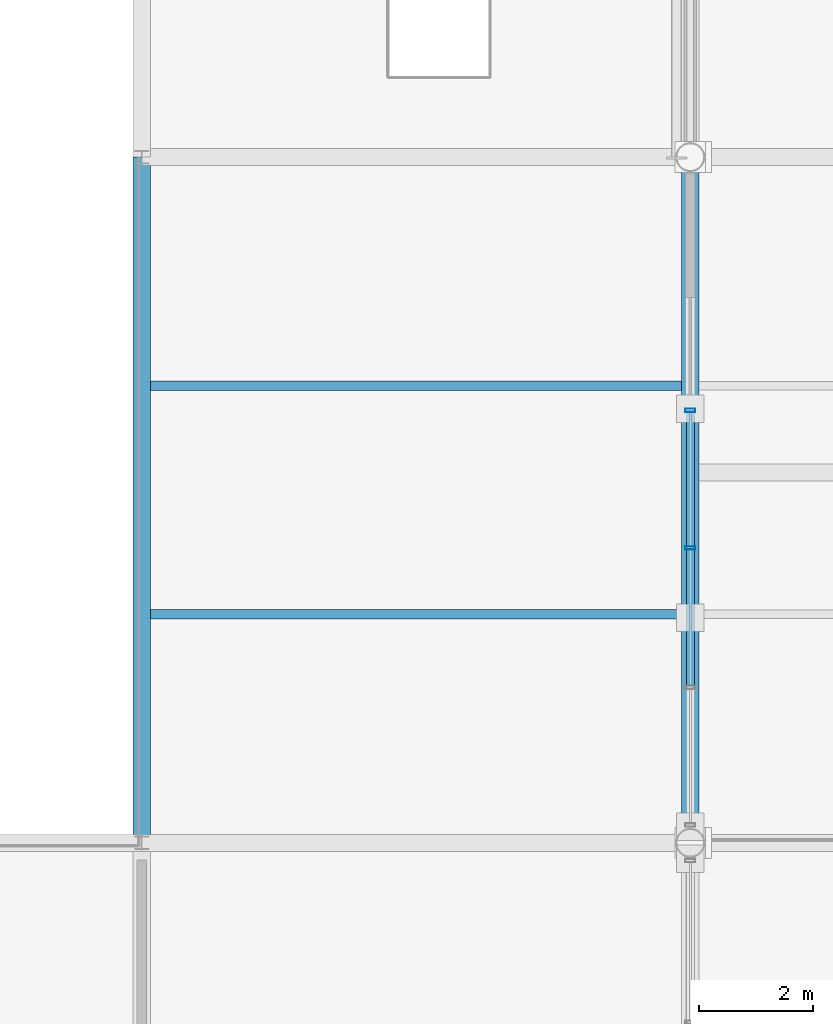
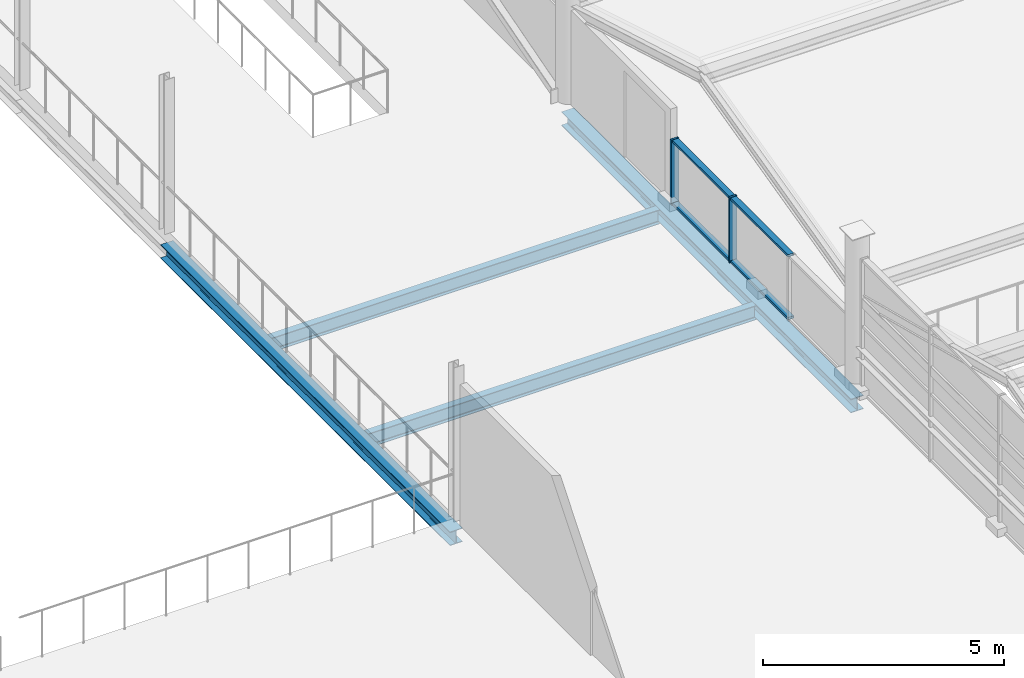
# One storey, part 36 of 117: 6 members, 4 beams, 1 element without a shape of its own.
"""IFC4 building model written with IfcOpenShell, lengths in metres."""

from ifc_helpers import new_model, si_unit, direction, frame, origin, origin_2d, place, context, subcontext, project, spatial, hollow_rectangle, i_section, extrude, material, material_profile, profile_set, type_object, element, aggregate, save


model = new_model("IFC4")

# Units and contexts
model_context = context("Model", 3, precision=1e-05, world=origin(), true_north=direction((0.0, 1.0)))
body_context = subcontext(model_context, "Body", "Model", "MODEL_VIEW")
ifc_project = project(units=[si_unit("LENGTHUNIT", "METRE"), si_unit("AREAUNIT", "SQUARE_METRE"), si_unit("VOLUMEUNIT", "CUBIC_METRE"), si_unit("PLANEANGLEUNIT", "RADIAN"), si_unit("MASSUNIT", "GRAM", prefix="KILO")], contexts=[model_context])

# Site, building, storey
site_placement = place(None, origin())
site = spatial("IfcSite", under=ifc_project, at=site_placement, CompositionType="ELEMENT")
building_placement = place(site_placement, origin())
building = spatial("IfcBuilding", under=site, at=building_placement, Name="Merenkruunu Market Hall", CompositionType="ELEMENT")
storey_placement = place(building_placement, frame((0.0, 0.0, 10.199951171875)))
storey = spatial("IfcBuildingStorey", under=building, at=storey_placement, Name="L02", CompositionType="ELEMENT", Elevation=10.199951171875)

# Curtain wall, members
ifc_material_1 = material(Name="Powder-coated aluminium", Category="aluminium")
curtain_wall_type = type_object("IfcCurtainWallType", Name="Glazed Curtain Wall CW16", PredefinedType="USERDEFINED", material=ifc_material_1)
curtain_wall_placement = place(storey_placement, origin())
curtain_wall = element("IfcCurtainWall", 1, at=curtain_wall_placement, inside=storey, type_object=curtain_wall_type, Name="CW-L02-CWM02-126", ObjectType="GLAZED_FACADE", PredefinedType="USERDEFINED")
ifc_material_profile_1 = material_profile(ifc_material_1, hollow_rectangle(XDim=0.06005859375, YDim=0.179931640625, WallThickness=0.00390625, at=origin_2d()), Name="ALU 60x180x4")
ifc_profile_set_1 = profile_set([ifc_material_profile_1], Name="Powder-coated aluminium")
member_type_1 = type_object("IfcMemberType", Name="Curtain Wall Mullion CWM02", PredefinedType="MULLION", material=ifc_profile_set_1)
member_1_placement = place(storey_placement, frame((57.60009765625, 32.760009765625, 0.0), z_axis=(0.0, 0.0, 1.0), x_axis=(0.0, 1.0, 0.0)))
member_1 = element("IfcMember", 2, at=member_1_placement, type_object=member_type_1, Name="CW16 mullion 3", PredefinedType="MULLION", context=body_context, shape_type="SweptSolid", body=[
    extrude(hollow_rectangle(XDim=0.06005859375, YDim=0.179931640625, WallThickness=0.00390625, at=origin_2d()), origin(), (0.0, 0.0, 1.0), 1.650146484375),
])
member_2_placement = place(storey_placement, frame((57.60009765625, 35.169921875, 0.0), z_axis=(0.0, 0.0, 1.0), x_axis=(0.0, 1.0, 0.0)))
member_2 = element("IfcMember", 3, at=member_2_placement, type_object=member_type_1, Name="CW16 mullion 4", PredefinedType="MULLION", context=body_context, shape_type="SweptSolid", body=[
    extrude(hollow_rectangle(XDim=0.06005859375, YDim=0.179931640625, WallThickness=0.00390625, at=origin_2d()), origin(), (0.0, 0.0, 1.0), 1.650146484375),
])
ifc_material_profile_2 = material_profile(ifc_material_1, hollow_rectangle(XDim=0.06005859375, YDim=0.139892578125, WallThickness=0.00390625, at=origin_2d()), Name="ALU 60x140x4")
ifc_profile_set_2 = profile_set([ifc_material_profile_2], Name="Powder-coated aluminium")
member_type_2 = type_object("IfcMemberType", Name="Curtain Wall Transom CWT02", PredefinedType="USERDEFINED", material=ifc_profile_set_2)
member_3_placement = place(storey_placement, frame((57.60009765625, 30.35009765625, 0.030029296875), z_axis=(0.0, 1.0, 0.0), x_axis=(0.0, 0.0, 1.0)))
member_3 = element("IfcMember", 4, at=member_3_placement, type_object=member_type_2, Name="CW16 transom 2.1", ObjectType="TRANSOM", PredefinedType="USERDEFINED", context=body_context, shape_type="SweptSolid", body=[
    extrude(hollow_rectangle(XDim=0.06005859375, YDim=0.139892578125, WallThickness=0.00390625, at=origin_2d()), origin(), (0.0, 0.0, 1.0), 2.3798828125),
])
member_4_placement = place(storey_placement, frame((57.60009765625, 30.35009765625, 1.6201171875), z_axis=(0.0, 1.0, 0.0), x_axis=(0.0, 0.0, 1.0)))
member_4 = element("IfcMember", 5, at=member_4_placement, type_object=member_type_2, Name="CW16 transom 2.2", ObjectType="TRANSOM", PredefinedType="USERDEFINED", context=body_context, shape_type="SweptSolid", body=[
    extrude(hollow_rectangle(XDim=0.06005859375, YDim=0.139892578125, WallThickness=0.00390625, at=origin_2d()), origin(), (0.0, 0.0, 1.0), 2.3798828125),
])
member_5_placement = place(storey_placement, frame((57.60009765625, 32.7900390625, 0.030029296875), z_axis=(0.0, 1.0, 0.0), x_axis=(0.0, 0.0, 1.0)))
member_5 = element("IfcMember", 6, at=member_5_placement, type_object=member_type_2, Name="CW16 transom 3.1", ObjectType="TRANSOM", PredefinedType="USERDEFINED", context=body_context, shape_type="SweptSolid", body=[
    extrude(hollow_rectangle(XDim=0.06005859375, YDim=0.139892578125, WallThickness=0.00390625, at=origin_2d()), origin(), (0.0, 0.0, 1.0), 2.349853515625),
])
member_6_placement = place(storey_placement, frame((57.60009765625, 32.7900390625, 1.6201171875), z_axis=(0.0, 1.0, 0.0), x_axis=(0.0, 0.0, 1.0)))
member_6 = element("IfcMember", 7, at=member_6_placement, type_object=member_type_2, Name="CW16 transom 3.2", ObjectType="TRANSOM", PredefinedType="USERDEFINED", context=body_context, shape_type="SweptSolid", body=[
    extrude(hollow_rectangle(XDim=0.06005859375, YDim=0.139892578125, WallThickness=0.00390625, at=origin_2d()), origin(), (0.0, 0.0, 1.0), 2.349853515625),
])
aggregate(curtain_wall, [member_1, member_2, member_3, member_4, member_5, member_6])

# Beams
ifc_material_2 = material(Name="Steel S355J2", Category="steel")
ifc_material_profile_3 = material_profile(ifc_material_2, i_section(OverallWidth=0.300048828125, OverallDepth=0.35009765625, WebThickness=0.010009765625, FlangeThickness=0.017578125, FilletRadius=0.027099609375, at=origin_2d()), Name="HEA 360")
ifc_profile_set_3 = profile_set([ifc_material_profile_3], Name="Steel S355J2")
beam_type_1 = type_object("IfcBeamType", Name="Primary Floor Girder B08", PredefinedType="BEAM", material=ifc_profile_set_3)
for number, where, z_axis, x_axis, name in (
    (8, (48.0, 27.60009765625, -0.48486328125), (0.0, 1.0, 0.0), (-1.0, 0.0, 0.0), "BM-L02-B08-0779"),
    (9, (57.60009765625, 27.60009765625, -0.48486328125), (0.0, 1.0, 0.0), (-1.0, 0.0, 0.0), "BM-L02-B08-0785"),
):
    element("IfcBeam", number, at=place(storey_placement, frame(where, z_axis=z_axis, x_axis=x_axis)), inside=storey, type_object=beam_type_1, Name=name, PredefinedType="BEAM", context=body_context, shape_type="SweptSolid", body=[
        extrude(i_section(OverallWidth=0.300048828125, OverallDepth=0.35009765625, WebThickness=0.010009765625, FlangeThickness=0.017578125, FilletRadius=0.027099609375, at=origin_2d()), origin(), (0.0, 0.0, 1.0), 12.0),
    ])
ifc_material_profile_4 = material_profile(ifc_material_2, i_section(OverallWidth=0.169921875, OverallDepth=0.360107421875, WebThickness=0.008056640625, FlangeThickness=0.0126953125, FilletRadius=0.01806640625, at=origin_2d()), Name="IPE 360")
ifc_profile_set_4 = profile_set([ifc_material_profile_4], Name="Steel S355J2")
beam_type_2 = type_object("IfcBeamType", Name="Secondary Floor Joist J03", PredefinedType="JOIST", material=ifc_profile_set_4)
for number, where, z_axis, x_axis, name in (
    (10, (48.153076171875, 31.60009765625, -0.489990234375), (1.0, 0.0, 0.0), (0.0, 1.0, 0.0), "BM-L02-J03-0824"),
    (11, (48.153076171875, 35.60009765625, -0.489990234375), (1.0, 0.0, 0.0), (0.0, 1.0, 0.0), "BM-L02-J03-0825"),
):
    element("IfcBeam", number, at=place(storey_placement, frame(where, z_axis=z_axis, x_axis=x_axis)), inside=storey, type_object=beam_type_2, Name=name, PredefinedType="JOIST", context=body_context, shape_type="SweptSolid", body=[
        extrude(i_section(OverallWidth=0.169921875, OverallDepth=0.360107421875, WebThickness=0.008056640625, FlangeThickness=0.0126953125, FilletRadius=0.01806640625, at=origin_2d()), origin(), (0.0, 0.0, 1.0), 9.2939453125),
    ])

save(model, "model.ifc")
